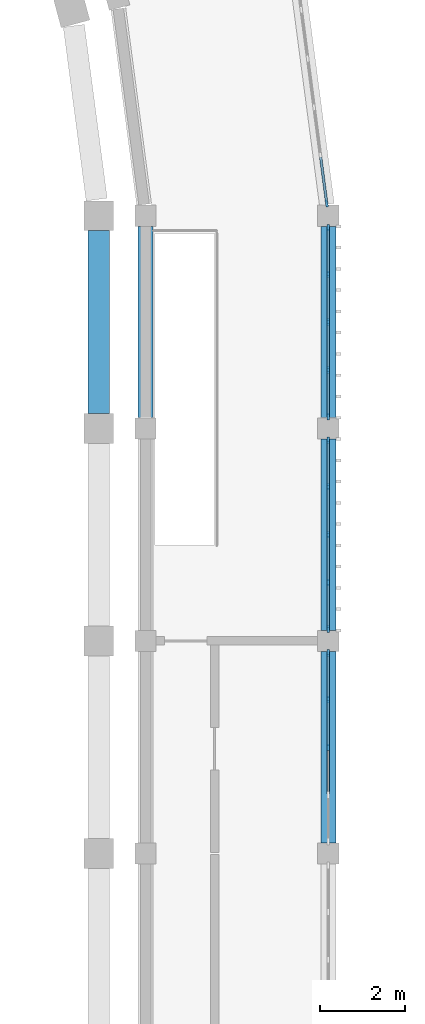
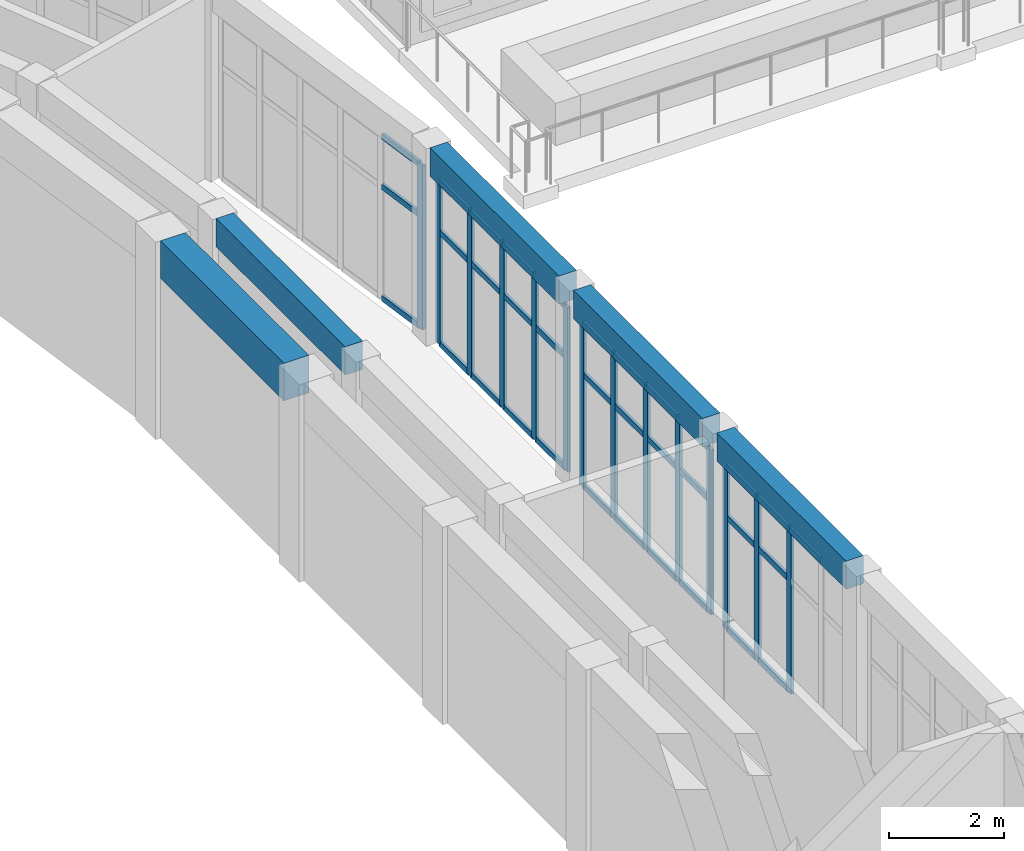
# One storey, part 13 of 99: 48 members, 5 beams, 4 elements without a shape of their own.
"""IFC4 building model written with IfcOpenShell, lengths in metres."""

from ifc_helpers import new_model, si_unit, direction, frame, origin, origin_2d, place, context, subcontext, project, spatial, rectangle, extrude, material, layer, layer_set, material_profile, profile_set, type_object, element, aggregate, save


model = new_model("IFC4")

# Units and contexts
model_context = context("Model", 3, precision=1e-05, world=origin(), true_north=direction((0.0, 1.0)))
body_context = subcontext(model_context, "Body", "Model", "MODEL_VIEW")
ifc_project = project(units=[si_unit("LENGTHUNIT", "METRE"), si_unit("AREAUNIT", "SQUARE_METRE"), si_unit("VOLUMEUNIT", "CUBIC_METRE"), si_unit("PLANEANGLEUNIT", "RADIAN"), si_unit("MASSUNIT", "GRAM", prefix="KILO")], contexts=[model_context])

# Site, building, storey
site_placement = place(None, origin())
site = spatial("IfcSite", under=ifc_project, at=site_placement, CompositionType="ELEMENT")
building_placement = place(site_placement, origin())
building = spatial("IfcBuilding", under=site, at=building_placement, Name="Wasatch Bagh Community Centre", CompositionType="ELEMENT")
storey_placement = place(building_placement, frame((0.0, 0.0, 4.199951171875)))
storey = spatial("IfcBuildingStorey", under=building, at=storey_placement, Name="L01", CompositionType="ELEMENT", Elevation=4.199951171875)

# Curtain wall, member
ifc_material_1 = material(Name="Aluminium curtain wall frame with low-iron insulated glass", Category="aluminium")
ifc_layer_1 = layer(ifc_material_1, 0.14990234375)
ifc_layer_set_1 = layer_set([ifc_layer_1], Name="Aluminium curtain wall frame with low-iron insulated glass")
curtain_wall_type_1 = type_object("IfcCurtainWallType", Name="Drum curtain wall DR-CW2", PredefinedType="NOTDEFINED", material=ifc_layer_set_1)
curtain_wall_1_placement = place(storey_placement, origin())
curtain_wall_1 = element("IfcCurtainWall", 1, at=curtain_wall_1_placement, inside=storey, type_object=curtain_wall_type_1, Name="Curtain wall DR-CW2 19", PredefinedType="NOTDEFINED")
ifc_material_2 = material(Name="Aluminium curtain wall frame", Category="aluminium")
ifc_material_profile_1 = material_profile(ifc_material_2, rectangle(XDim=0.06005859375, YDim=0.159912109375, at=origin_2d()), Name="Drum mullion DR-CW2")
ifc_profile_set_1 = profile_set([ifc_material_profile_1], Name="Aluminium curtain wall frame")
member_type_1 = type_object("IfcMemberType", Name="Drum mullion DR-CW2", PredefinedType="MULLION", material=ifc_profile_set_1)
member_1_placement = place(storey_placement, frame((60.11181640625, 65.2900390625, 0.0), z_axis=(0.0, 0.0, 1.0), x_axis=(-0.991444861378, -0.130526192185, 0.0)))
member_1 = element("IfcMember", 2, at=member_1_placement, type_object=member_type_1, Name="DR-CW2 mullion 1", PredefinedType="MULLION", context=body_context, shape_type="SweptSolid", body=[
    extrude(rectangle(XDim=0.06005859375, YDim=0.159912109375, at=origin_2d()), origin(), (0.0, 0.0, 1.0), 3.5),
])

# Curtain wall, members
ifc_layer_2 = layer(ifc_material_1, 0.14990234375)
ifc_layer_set_2 = layer_set([ifc_layer_2], Name="Aluminium curtain wall frame with low-iron insulated glass")
curtain_wall_type_2 = type_object("IfcCurtainWallType", Name="Drum curtain wall DR-CW4", PredefinedType="NOTDEFINED", material=ifc_layer_set_2)
curtain_wall_2_placement = place(storey_placement, origin())
curtain_wall_2 = element("IfcCurtainWall", 3, at=curtain_wall_2_placement, inside=storey, type_object=curtain_wall_type_2, Name="Curtain wall DR-CW4 16", PredefinedType="NOTDEFINED")
ifc_material_profile_2 = material_profile(ifc_material_2, rectangle(XDim=0.06005859375, YDim=0.159912109375, at=origin_2d()), Name="Drum mullion DR-CW4")
ifc_profile_set_2 = profile_set([ifc_material_profile_2], Name="Aluminium curtain wall frame")
member_type_2 = type_object("IfcMemberType", Name="Drum mullion DR-CW4", PredefinedType="MULLION", material=ifc_profile_set_2)
member_2_placement = place(storey_placement, frame((60.14990234375, 52.5, 0.0), z_axis=(0.0, 0.0, 1.0), x_axis=(-1.0, 0.0, 0.0)))
member_2 = element("IfcMember", 4, at=member_2_placement, type_object=member_type_2, Name="DR-CW4 mullion 3", PredefinedType="MULLION", context=body_context, shape_type="SweptSolid", body=[
    extrude(rectangle(XDim=0.06005859375, YDim=0.159912109375, at=origin_2d()), origin(), (0.0, 0.0, 1.0), 3.5),
])
member_3_placement = place(storey_placement, frame((60.14990234375, 53.624755859375, 0.0), z_axis=(0.0, 0.0, 1.0), x_axis=(-1.0, 0.0, 0.0)))
member_3 = element("IfcMember", 5, at=member_3_placement, type_object=member_type_2, Name="DR-CW4 mullion 4", PredefinedType="MULLION", context=body_context, shape_type="SweptSolid", body=[
    extrude(rectangle(XDim=0.06005859375, YDim=0.159912109375, at=origin_2d()), origin(), (0.0, 0.0, 1.0), 3.5),
])
member_4_placement = place(storey_placement, frame((60.14990234375, 54.719482421875, 0.0), z_axis=(0.0, 0.0, 1.0), x_axis=(-1.0, 0.0, 0.0)))
member_4 = element("IfcMember", 6, at=member_4_placement, type_object=member_type_2, Name="DR-CW4 mullion 5", PredefinedType="MULLION", context=body_context, shape_type="SweptSolid", body=[
    extrude(rectangle(XDim=0.06005859375, YDim=0.159912109375, at=origin_2d()), origin(), (0.0, 0.0, 1.0), 3.5),
])

curtain_wall_3_placement = place(storey_placement, origin())
curtain_wall_3 = element("IfcCurtainWall", 7, at=curtain_wall_3_placement, inside=storey, type_object=curtain_wall_type_2, Name="Curtain wall DR-CW4 17", PredefinedType="NOTDEFINED")
member_5_placement = place(storey_placement, frame((60.14990234375, 55.280517578125, 0.0), z_axis=(0.0, 0.0, 1.0), x_axis=(-1.0, 0.0, 0.0)))
member_5 = element("IfcMember", 8, at=member_5_placement, type_object=member_type_2, Name="DR-CW4 mullion 1", PredefinedType="MULLION", context=body_context, shape_type="SweptSolid", body=[
    extrude(rectangle(XDim=0.06005859375, YDim=0.159912109375, at=origin_2d()), origin(), (0.0, 0.0, 1.0), 3.5),
])
member_6_placement = place(storey_placement, frame((60.14990234375, 56.375244140625, 0.0), z_axis=(0.0, 0.0, 1.0), x_axis=(-1.0, 0.0, 0.0)))
member_6 = element("IfcMember", 9, at=member_6_placement, type_object=member_type_2, Name="DR-CW4 mullion 2", PredefinedType="MULLION", context=body_context, shape_type="SweptSolid", body=[
    extrude(rectangle(XDim=0.06005859375, YDim=0.159912109375, at=origin_2d()), origin(), (0.0, 0.0, 1.0), 3.5),
])
member_7_placement = place(storey_placement, frame((60.14990234375, 57.5, 0.0), z_axis=(0.0, 0.0, 1.0), x_axis=(-1.0, 0.0, 0.0)))
member_7 = element("IfcMember", 10, at=member_7_placement, type_object=member_type_2, Name="DR-CW4 mullion 3", PredefinedType="MULLION", context=body_context, shape_type="SweptSolid", body=[
    extrude(rectangle(XDim=0.06005859375, YDim=0.159912109375, at=origin_2d()), origin(), (0.0, 0.0, 1.0), 3.5),
])
member_8_placement = place(storey_placement, frame((60.14990234375, 58.624755859375, 0.0), z_axis=(0.0, 0.0, 1.0), x_axis=(-1.0, 0.0, 0.0)))
member_8 = element("IfcMember", 11, at=member_8_placement, type_object=member_type_2, Name="DR-CW4 mullion 4", PredefinedType="MULLION", context=body_context, shape_type="SweptSolid", body=[
    extrude(rectangle(XDim=0.06005859375, YDim=0.159912109375, at=origin_2d()), origin(), (0.0, 0.0, 1.0), 3.5),
])
member_9_placement = place(storey_placement, frame((60.14990234375, 59.719482421875, 0.0), z_axis=(0.0, 0.0, 1.0), x_axis=(-1.0, 0.0, 0.0)))
member_9 = element("IfcMember", 12, at=member_9_placement, type_object=member_type_2, Name="DR-CW4 mullion 5", PredefinedType="MULLION", context=body_context, shape_type="SweptSolid", body=[
    extrude(rectangle(XDim=0.06005859375, YDim=0.159912109375, at=origin_2d()), origin(), (0.0, 0.0, 1.0), 3.5),
])

curtain_wall_4_placement = place(storey_placement, origin())
curtain_wall_4 = element("IfcCurtainWall", 13, at=curtain_wall_4_placement, inside=storey, type_object=curtain_wall_type_2, Name="Curtain wall DR-CW4 18", PredefinedType="NOTDEFINED")
member_10_placement = place(storey_placement, frame((60.14990234375, 60.280517578125, 0.0), z_axis=(0.0, 0.0, 1.0), x_axis=(-1.0, 0.0, 0.0)))
member_10 = element("IfcMember", 14, at=member_10_placement, type_object=member_type_2, Name="DR-CW4 mullion 1", PredefinedType="MULLION", context=body_context, shape_type="SweptSolid", body=[
    extrude(rectangle(XDim=0.06005859375, YDim=0.159912109375, at=origin_2d()), origin(), (0.0, 0.0, 1.0), 3.5),
])
member_11_placement = place(storey_placement, frame((60.14990234375, 61.375244140625, 0.0), z_axis=(0.0, 0.0, 1.0), x_axis=(-1.0, 0.0, 0.0)))
member_11 = element("IfcMember", 15, at=member_11_placement, type_object=member_type_2, Name="DR-CW4 mullion 2", PredefinedType="MULLION", context=body_context, shape_type="SweptSolid", body=[
    extrude(rectangle(XDim=0.06005859375, YDim=0.159912109375, at=origin_2d()), origin(), (0.0, 0.0, 1.0), 3.5),
])
member_12_placement = place(storey_placement, frame((60.14990234375, 62.5, 0.0), z_axis=(0.0, 0.0, 1.0), x_axis=(-1.0, 0.0, 0.0)))
member_12 = element("IfcMember", 16, at=member_12_placement, type_object=member_type_2, Name="DR-CW4 mullion 3", PredefinedType="MULLION", context=body_context, shape_type="SweptSolid", body=[
    extrude(rectangle(XDim=0.06005859375, YDim=0.159912109375, at=origin_2d()), origin(), (0.0, 0.0, 1.0), 3.5),
])
member_13_placement = place(storey_placement, frame((60.14990234375, 63.624755859375, 0.0), z_axis=(0.0, 0.0, 1.0), x_axis=(-1.0, 0.0, 0.0)))
member_13 = element("IfcMember", 17, at=member_13_placement, type_object=member_type_2, Name="DR-CW4 mullion 4", PredefinedType="MULLION", context=body_context, shape_type="SweptSolid", body=[
    extrude(rectangle(XDim=0.06005859375, YDim=0.159912109375, at=origin_2d()), origin(), (0.0, 0.0, 1.0), 3.5),
])
member_14_placement = place(storey_placement, frame((60.14990234375, 64.719482421875, 0.0), z_axis=(0.0, 0.0, 1.0), x_axis=(-1.0, 0.0, 0.0)))
member_14 = element("IfcMember", 18, at=member_14_placement, type_object=member_type_2, Name="DR-CW4 mullion 5", PredefinedType="MULLION", context=body_context, shape_type="SweptSolid", body=[
    extrude(rectangle(XDim=0.06005859375, YDim=0.159912109375, at=origin_2d()), origin(), (0.0, 0.0, 1.0), 3.5),
])

# Beams
ifc_material_3 = material(Name="Concrete C35", Category="concrete")
ifc_material_profile_3 = material_profile(ifc_material_3, rectangle(XDim=0.35009765625, YDim=0.60009765625, at=origin_2d()), Name="RC 350x600")
ifc_profile_set_3 = profile_set([ifc_material_profile_3], Name="Concrete C35")
beam_type_1 = type_object("IfcBeamType", Name="Drum ring beam RC 350x600", PredefinedType="BEAM", material=ifc_profile_set_3)
for number, where, z_axis, x_axis, name in (
    (19, (55.85009765625, 60.25048828125, 3.900146484375), (0.0, 1.0, 0.0), (-1.0, 0.0, 0.0), "Ring beam 8.4 DI-E6-DI-E7"),
    (20, (60.14990234375, 50.25048828125, 3.900146484375), (0.0, 1.0, 0.0), (-1.0, 0.0, 0.0), "Ring beam 8.4 DO-E4-DO-E5"),
    (21, (60.14990234375, 55.25048828125, 3.900146484375), (0.0, 1.0, 0.0), (-1.0, 0.0, 0.0), "Ring beam 8.4 DO-E5-DO-E6"),
    (22, (60.14990234375, 60.25048828125, 3.900146484375), (0.0, 1.0, 0.0), (-1.0, 0.0, 0.0), "Ring beam 8.4 DO-E6-DO-E7"),
):
    element("IfcBeam", number, at=place(storey_placement, frame(where, z_axis=z_axis, x_axis=x_axis)), inside=storey, type_object=beam_type_1, Name=name, PredefinedType="BEAM", context=body_context, shape_type="SweptSolid", body=[
        extrude(rectangle(XDim=0.35009765625, YDim=0.60009765625, at=origin_2d()), origin(), (0.0, 0.0, 1.0), 4.4990234375),
    ])

# Member
ifc_material_profile_4 = material_profile(ifc_material_2, rectangle(XDim=0.06005859375, YDim=0.1201171875, at=origin_2d()), Name="Drum transom DR-CW2")
ifc_profile_set_4 = profile_set([ifc_material_profile_4], Name="Aluminium curtain wall frame")
member_type_3 = type_object("IfcMemberType", Name="Drum transom DR-CW2", PredefinedType="USERDEFINED", material=ifc_profile_set_4)
member_15_placement = place(storey_placement, frame((60.10791015625, 65.31982421875, 0.030029296875), z_axis=(-0.130573025845, 0.991438694485, 0.0), x_axis=(-0.991438694485, -0.130573025845, 0.0)))
member_15 = element("IfcMember", 23, at=member_15_placement, type_object=member_type_3, Name="DR-CW2 transom 1.1", ObjectType="TRANSOM", PredefinedType="USERDEFINED", context=body_context, shape_type="SweptSolid", body=[
    extrude(rectangle(XDim=0.06005859375, YDim=0.1201171875, at=origin_2d()), origin(), (0.0, 0.0, 1.0), 1.065673828125),
])

member_16_placement = place(storey_placement, frame((60.10791015625, 65.31982421875, 2.400146484375), z_axis=(-0.130573025845, 0.991438694485, 0.0), x_axis=(-0.991438694485, -0.130573025845, 0.0)))
member_16 = element("IfcMember", 24, at=member_16_placement, type_object=member_type_3, Name="DR-CW2 transom 1.2", ObjectType="TRANSOM", PredefinedType="USERDEFINED", context=body_context, shape_type="SweptSolid", body=[
    extrude(rectangle(XDim=0.06005859375, YDim=0.1201171875, at=origin_2d()), origin(), (0.0, 0.0, 1.0), 1.065673828125),
])

member_17_placement = place(storey_placement, frame((60.10791015625, 65.31982421875, 3.469970703125), z_axis=(-0.130573025845, 0.991438694485, 0.0), x_axis=(-0.991438694485, -0.130573025845, 0.0)))
member_17 = element("IfcMember", 25, at=member_17_placement, type_object=member_type_3, Name="DR-CW2 transom 1.3", ObjectType="TRANSOM", PredefinedType="USERDEFINED", context=body_context, shape_type="SweptSolid", body=[
    extrude(rectangle(XDim=0.06005859375, YDim=0.1201171875, at=origin_2d()), origin(), (0.0, 0.0, 1.0), 1.065673828125),
])

aggregate(curtain_wall_1, [member_1, member_15, member_16, member_17])

ifc_material_profile_5 = material_profile(ifc_material_2, rectangle(XDim=0.06005859375, YDim=0.1201171875, at=origin_2d()), Name="Drum transom DR-CW4")
ifc_profile_set_5 = profile_set([ifc_material_profile_5], Name="Aluminium curtain wall frame")
member_type_4 = type_object("IfcMemberType", Name="Drum transom DR-CW4", PredefinedType="USERDEFINED", material=ifc_profile_set_5)
member_18_placement = place(storey_placement, frame((60.14990234375, 51.4052734375, 3.469970703125), z_axis=(0.0, 1.0, 0.0), x_axis=(-1.0, 0.0, 0.0)))
member_18 = element("IfcMember", 26, at=member_18_placement, type_object=member_type_4, Name="DR-CW4 transom 2.3", ObjectType="TRANSOM", PredefinedType="USERDEFINED", context=body_context, shape_type="SweptSolid", body=[
    extrude(rectangle(XDim=0.06005859375, YDim=0.1201171875, at=origin_2d()), origin(), (0.0, 0.0, 1.0), 1.064697265625),
])

member_19_placement = place(storey_placement, frame((60.14990234375, 52.530029296875, 0.030029296875), z_axis=(0.0, 1.0, 0.0), x_axis=(-1.0, 0.0, 0.0)))
member_19 = element("IfcMember", 27, at=member_19_placement, type_object=member_type_4, Name="DR-CW4 transom 3.1", ObjectType="TRANSOM", PredefinedType="USERDEFINED", context=body_context, shape_type="SweptSolid", body=[
    extrude(rectangle(XDim=0.06005859375, YDim=0.1201171875, at=origin_2d()), origin(), (0.0, 0.0, 1.0), 1.064697265625),
])

member_20_placement = place(storey_placement, frame((60.14990234375, 52.530029296875, 2.400146484375), z_axis=(0.0, 1.0, 0.0), x_axis=(-1.0, 0.0, 0.0)))
member_20 = element("IfcMember", 28, at=member_20_placement, type_object=member_type_4, Name="DR-CW4 transom 3.2", ObjectType="TRANSOM", PredefinedType="USERDEFINED", context=body_context, shape_type="SweptSolid", body=[
    extrude(rectangle(XDim=0.06005859375, YDim=0.1201171875, at=origin_2d()), origin(), (0.0, 0.0, 1.0), 1.064697265625),
])

member_21_placement = place(storey_placement, frame((60.14990234375, 52.530029296875, 3.469970703125), z_axis=(0.0, 1.0, 0.0), x_axis=(-1.0, 0.0, 0.0)))
member_21 = element("IfcMember", 29, at=member_21_placement, type_object=member_type_4, Name="DR-CW4 transom 3.3", ObjectType="TRANSOM", PredefinedType="USERDEFINED", context=body_context, shape_type="SweptSolid", body=[
    extrude(rectangle(XDim=0.06005859375, YDim=0.1201171875, at=origin_2d()), origin(), (0.0, 0.0, 1.0), 1.064697265625),
])

member_22_placement = place(storey_placement, frame((60.14990234375, 53.65478515625, 0.030029296875), z_axis=(0.0, 1.0, 0.0), x_axis=(-1.0, 0.0, 0.0)))
member_22 = element("IfcMember", 30, at=member_22_placement, type_object=member_type_4, Name="DR-CW4 transom 4.1", ObjectType="TRANSOM", PredefinedType="USERDEFINED", context=body_context, shape_type="SweptSolid", body=[
    extrude(rectangle(XDim=0.06005859375, YDim=0.1201171875, at=origin_2d()), origin(), (0.0, 0.0, 1.0), 1.03466796875),
])

member_23_placement = place(storey_placement, frame((60.14990234375, 53.65478515625, 2.400146484375), z_axis=(0.0, 1.0, 0.0), x_axis=(-1.0, 0.0, 0.0)))
member_23 = element("IfcMember", 31, at=member_23_placement, type_object=member_type_4, Name="DR-CW4 transom 4.2", ObjectType="TRANSOM", PredefinedType="USERDEFINED", context=body_context, shape_type="SweptSolid", body=[
    extrude(rectangle(XDim=0.06005859375, YDim=0.1201171875, at=origin_2d()), origin(), (0.0, 0.0, 1.0), 1.03466796875),
])

member_24_placement = place(storey_placement, frame((60.14990234375, 53.65478515625, 3.469970703125), z_axis=(0.0, 1.0, 0.0), x_axis=(-1.0, 0.0, 0.0)))
member_24 = element("IfcMember", 32, at=member_24_placement, type_object=member_type_4, Name="DR-CW4 transom 4.3", ObjectType="TRANSOM", PredefinedType="USERDEFINED", context=body_context, shape_type="SweptSolid", body=[
    extrude(rectangle(XDim=0.06005859375, YDim=0.1201171875, at=origin_2d()), origin(), (0.0, 0.0, 1.0), 1.03466796875),
])

aggregate(curtain_wall_2, [member_2, member_3, member_4, member_18, member_19, member_20, member_21, member_22, member_23, member_24])

member_25_placement = place(storey_placement, frame((60.14990234375, 55.310546875, 0.030029296875), z_axis=(0.0, 1.0, 0.0), x_axis=(-1.0, 0.0, 0.0)))
member_25 = element("IfcMember", 33, at=member_25_placement, type_object=member_type_4, Name="DR-CW4 transom 1.1", ObjectType="TRANSOM", PredefinedType="USERDEFINED", context=body_context, shape_type="SweptSolid", body=[
    extrude(rectangle(XDim=0.06005859375, YDim=0.1201171875, at=origin_2d()), origin(), (0.0, 0.0, 1.0), 1.03466796875),
])

member_26_placement = place(storey_placement, frame((60.14990234375, 55.310546875, 2.400146484375), z_axis=(0.0, 1.0, 0.0), x_axis=(-1.0, 0.0, 0.0)))
member_26 = element("IfcMember", 34, at=member_26_placement, type_object=member_type_4, Name="DR-CW4 transom 1.2", ObjectType="TRANSOM", PredefinedType="USERDEFINED", context=body_context, shape_type="SweptSolid", body=[
    extrude(rectangle(XDim=0.06005859375, YDim=0.1201171875, at=origin_2d()), origin(), (0.0, 0.0, 1.0), 1.03466796875),
])

member_27_placement = place(storey_placement, frame((60.14990234375, 55.310546875, 3.469970703125), z_axis=(0.0, 1.0, 0.0), x_axis=(-1.0, 0.0, 0.0)))
member_27 = element("IfcMember", 35, at=member_27_placement, type_object=member_type_4, Name="DR-CW4 transom 1.3", ObjectType="TRANSOM", PredefinedType="USERDEFINED", context=body_context, shape_type="SweptSolid", body=[
    extrude(rectangle(XDim=0.06005859375, YDim=0.1201171875, at=origin_2d()), origin(), (0.0, 0.0, 1.0), 1.03466796875),
])

member_28_placement = place(storey_placement, frame((60.14990234375, 56.4052734375, 0.030029296875), z_axis=(0.0, 1.0, 0.0), x_axis=(-1.0, 0.0, 0.0)))
member_28 = element("IfcMember", 36, at=member_28_placement, type_object=member_type_4, Name="DR-CW4 transom 2.1", ObjectType="TRANSOM", PredefinedType="USERDEFINED", context=body_context, shape_type="SweptSolid", body=[
    extrude(rectangle(XDim=0.06005859375, YDim=0.1201171875, at=origin_2d()), origin(), (0.0, 0.0, 1.0), 1.064697265625),
])

member_29_placement = place(storey_placement, frame((60.14990234375, 56.4052734375, 2.400146484375), z_axis=(0.0, 1.0, 0.0), x_axis=(-1.0, 0.0, 0.0)))
member_29 = element("IfcMember", 37, at=member_29_placement, type_object=member_type_4, Name="DR-CW4 transom 2.2", ObjectType="TRANSOM", PredefinedType="USERDEFINED", context=body_context, shape_type="SweptSolid", body=[
    extrude(rectangle(XDim=0.06005859375, YDim=0.1201171875, at=origin_2d()), origin(), (0.0, 0.0, 1.0), 1.064697265625),
])

member_30_placement = place(storey_placement, frame((60.14990234375, 56.4052734375, 3.469970703125), z_axis=(0.0, 1.0, 0.0), x_axis=(-1.0, 0.0, 0.0)))
member_30 = element("IfcMember", 38, at=member_30_placement, type_object=member_type_4, Name="DR-CW4 transom 2.3", ObjectType="TRANSOM", PredefinedType="USERDEFINED", context=body_context, shape_type="SweptSolid", body=[
    extrude(rectangle(XDim=0.06005859375, YDim=0.1201171875, at=origin_2d()), origin(), (0.0, 0.0, 1.0), 1.064697265625),
])

member_31_placement = place(storey_placement, frame((60.14990234375, 57.530029296875, 0.030029296875), z_axis=(0.0, 1.0, 0.0), x_axis=(-1.0, 0.0, 0.0)))
member_31 = element("IfcMember", 39, at=member_31_placement, type_object=member_type_4, Name="DR-CW4 transom 3.1", ObjectType="TRANSOM", PredefinedType="USERDEFINED", context=body_context, shape_type="SweptSolid", body=[
    extrude(rectangle(XDim=0.06005859375, YDim=0.1201171875, at=origin_2d()), origin(), (0.0, 0.0, 1.0), 1.064697265625),
])

member_32_placement = place(storey_placement, frame((60.14990234375, 57.530029296875, 2.400146484375), z_axis=(0.0, 1.0, 0.0), x_axis=(-1.0, 0.0, 0.0)))
member_32 = element("IfcMember", 40, at=member_32_placement, type_object=member_type_4, Name="DR-CW4 transom 3.2", ObjectType="TRANSOM", PredefinedType="USERDEFINED", context=body_context, shape_type="SweptSolid", body=[
    extrude(rectangle(XDim=0.06005859375, YDim=0.1201171875, at=origin_2d()), origin(), (0.0, 0.0, 1.0), 1.064697265625),
])

member_33_placement = place(storey_placement, frame((60.14990234375, 57.530029296875, 3.469970703125), z_axis=(0.0, 1.0, 0.0), x_axis=(-1.0, 0.0, 0.0)))
member_33 = element("IfcMember", 41, at=member_33_placement, type_object=member_type_4, Name="DR-CW4 transom 3.3", ObjectType="TRANSOM", PredefinedType="USERDEFINED", context=body_context, shape_type="SweptSolid", body=[
    extrude(rectangle(XDim=0.06005859375, YDim=0.1201171875, at=origin_2d()), origin(), (0.0, 0.0, 1.0), 1.064697265625),
])

member_34_placement = place(storey_placement, frame((60.14990234375, 58.65478515625, 0.030029296875), z_axis=(0.0, 1.0, 0.0), x_axis=(-1.0, 0.0, 0.0)))
member_34 = element("IfcMember", 42, at=member_34_placement, type_object=member_type_4, Name="DR-CW4 transom 4.1", ObjectType="TRANSOM", PredefinedType="USERDEFINED", context=body_context, shape_type="SweptSolid", body=[
    extrude(rectangle(XDim=0.06005859375, YDim=0.1201171875, at=origin_2d()), origin(), (0.0, 0.0, 1.0), 1.03466796875),
])

member_35_placement = place(storey_placement, frame((60.14990234375, 58.65478515625, 2.400146484375), z_axis=(0.0, 1.0, 0.0), x_axis=(-1.0, 0.0, 0.0)))
member_35 = element("IfcMember", 43, at=member_35_placement, type_object=member_type_4, Name="DR-CW4 transom 4.2", ObjectType="TRANSOM", PredefinedType="USERDEFINED", context=body_context, shape_type="SweptSolid", body=[
    extrude(rectangle(XDim=0.06005859375, YDim=0.1201171875, at=origin_2d()), origin(), (0.0, 0.0, 1.0), 1.03466796875),
])

member_36_placement = place(storey_placement, frame((60.14990234375, 58.65478515625, 3.469970703125), z_axis=(0.0, 1.0, 0.0), x_axis=(-1.0, 0.0, 0.0)))
member_36 = element("IfcMember", 44, at=member_36_placement, type_object=member_type_4, Name="DR-CW4 transom 4.3", ObjectType="TRANSOM", PredefinedType="USERDEFINED", context=body_context, shape_type="SweptSolid", body=[
    extrude(rectangle(XDim=0.06005859375, YDim=0.1201171875, at=origin_2d()), origin(), (0.0, 0.0, 1.0), 1.03466796875),
])

aggregate(curtain_wall_3, [member_5, member_6, member_7, member_8, member_9, member_25, member_26, member_27, member_28, member_29, member_30, member_31, member_32, member_33, member_34, member_35, member_36])

member_37_placement = place(storey_placement, frame((60.14990234375, 60.310546875, 0.030029296875), z_axis=(0.0, 1.0, 0.0), x_axis=(-1.0, 0.0, 0.0)))
member_37 = element("IfcMember", 45, at=member_37_placement, type_object=member_type_4, Name="DR-CW4 transom 1.1", ObjectType="TRANSOM", PredefinedType="USERDEFINED", context=body_context, shape_type="SweptSolid", body=[
    extrude(rectangle(XDim=0.06005859375, YDim=0.1201171875, at=origin_2d()), origin(), (0.0, 0.0, 1.0), 1.03466796875),
])

member_38_placement = place(storey_placement, frame((60.14990234375, 60.310546875, 2.400146484375), z_axis=(0.0, 1.0, 0.0), x_axis=(-1.0, 0.0, 0.0)))
member_38 = element("IfcMember", 46, at=member_38_placement, type_object=member_type_4, Name="DR-CW4 transom 1.2", ObjectType="TRANSOM", PredefinedType="USERDEFINED", context=body_context, shape_type="SweptSolid", body=[
    extrude(rectangle(XDim=0.06005859375, YDim=0.1201171875, at=origin_2d()), origin(), (0.0, 0.0, 1.0), 1.03466796875),
])

member_39_placement = place(storey_placement, frame((60.14990234375, 60.310546875, 3.469970703125), z_axis=(0.0, 1.0, 0.0), x_axis=(-1.0, 0.0, 0.0)))
member_39 = element("IfcMember", 47, at=member_39_placement, type_object=member_type_4, Name="DR-CW4 transom 1.3", ObjectType="TRANSOM", PredefinedType="USERDEFINED", context=body_context, shape_type="SweptSolid", body=[
    extrude(rectangle(XDim=0.06005859375, YDim=0.1201171875, at=origin_2d()), origin(), (0.0, 0.0, 1.0), 1.03466796875),
])

member_40_placement = place(storey_placement, frame((60.14990234375, 61.4052734375, 0.030029296875), z_axis=(0.0, 1.0, 0.0), x_axis=(-1.0, 0.0, 0.0)))
member_40 = element("IfcMember", 48, at=member_40_placement, type_object=member_type_4, Name="DR-CW4 transom 2.1", ObjectType="TRANSOM", PredefinedType="USERDEFINED", context=body_context, shape_type="SweptSolid", body=[
    extrude(rectangle(XDim=0.06005859375, YDim=0.1201171875, at=origin_2d()), origin(), (0.0, 0.0, 1.0), 1.064697265625),
])

member_41_placement = place(storey_placement, frame((60.14990234375, 61.4052734375, 2.400146484375), z_axis=(0.0, 1.0, 0.0), x_axis=(-1.0, 0.0, 0.0)))
member_41 = element("IfcMember", 49, at=member_41_placement, type_object=member_type_4, Name="DR-CW4 transom 2.2", ObjectType="TRANSOM", PredefinedType="USERDEFINED", context=body_context, shape_type="SweptSolid", body=[
    extrude(rectangle(XDim=0.06005859375, YDim=0.1201171875, at=origin_2d()), origin(), (0.0, 0.0, 1.0), 1.064697265625),
])

member_42_placement = place(storey_placement, frame((60.14990234375, 61.4052734375, 3.469970703125), z_axis=(0.0, 1.0, 0.0), x_axis=(-1.0, 0.0, 0.0)))
member_42 = element("IfcMember", 50, at=member_42_placement, type_object=member_type_4, Name="DR-CW4 transom 2.3", ObjectType="TRANSOM", PredefinedType="USERDEFINED", context=body_context, shape_type="SweptSolid", body=[
    extrude(rectangle(XDim=0.06005859375, YDim=0.1201171875, at=origin_2d()), origin(), (0.0, 0.0, 1.0), 1.064697265625),
])

member_43_placement = place(storey_placement, frame((60.14990234375, 62.530029296875, 0.030029296875), z_axis=(0.0, 1.0, 0.0), x_axis=(-1.0, 0.0, 0.0)))
member_43 = element("IfcMember", 51, at=member_43_placement, type_object=member_type_4, Name="DR-CW4 transom 3.1", ObjectType="TRANSOM", PredefinedType="USERDEFINED", context=body_context, shape_type="SweptSolid", body=[
    extrude(rectangle(XDim=0.06005859375, YDim=0.1201171875, at=origin_2d()), origin(), (0.0, 0.0, 1.0), 1.064697265625),
])

member_44_placement = place(storey_placement, frame((60.14990234375, 62.530029296875, 2.400146484375), z_axis=(0.0, 1.0, 0.0), x_axis=(-1.0, 0.0, 0.0)))
member_44 = element("IfcMember", 52, at=member_44_placement, type_object=member_type_4, Name="DR-CW4 transom 3.2", ObjectType="TRANSOM", PredefinedType="USERDEFINED", context=body_context, shape_type="SweptSolid", body=[
    extrude(rectangle(XDim=0.06005859375, YDim=0.1201171875, at=origin_2d()), origin(), (0.0, 0.0, 1.0), 1.064697265625),
])

member_45_placement = place(storey_placement, frame((60.14990234375, 62.530029296875, 3.469970703125), z_axis=(0.0, 1.0, 0.0), x_axis=(-1.0, 0.0, 0.0)))
member_45 = element("IfcMember", 53, at=member_45_placement, type_object=member_type_4, Name="DR-CW4 transom 3.3", ObjectType="TRANSOM", PredefinedType="USERDEFINED", context=body_context, shape_type="SweptSolid", body=[
    extrude(rectangle(XDim=0.06005859375, YDim=0.1201171875, at=origin_2d()), origin(), (0.0, 0.0, 1.0), 1.064697265625),
])

member_46_placement = place(storey_placement, frame((60.14990234375, 63.65478515625, 0.030029296875), z_axis=(0.0, 1.0, 0.0), x_axis=(-1.0, 0.0, 0.0)))
member_46 = element("IfcMember", 54, at=member_46_placement, type_object=member_type_4, Name="DR-CW4 transom 4.1", ObjectType="TRANSOM", PredefinedType="USERDEFINED", context=body_context, shape_type="SweptSolid", body=[
    extrude(rectangle(XDim=0.06005859375, YDim=0.1201171875, at=origin_2d()), origin(), (0.0, 0.0, 1.0), 1.03466796875),
])

member_47_placement = place(storey_placement, frame((60.14990234375, 63.65478515625, 2.400146484375), z_axis=(0.0, 1.0, 0.0), x_axis=(-1.0, 0.0, 0.0)))
member_47 = element("IfcMember", 55, at=member_47_placement, type_object=member_type_4, Name="DR-CW4 transom 4.2", ObjectType="TRANSOM", PredefinedType="USERDEFINED", context=body_context, shape_type="SweptSolid", body=[
    extrude(rectangle(XDim=0.06005859375, YDim=0.1201171875, at=origin_2d()), origin(), (0.0, 0.0, 1.0), 1.03466796875),
])

member_48_placement = place(storey_placement, frame((60.14990234375, 63.65478515625, 3.469970703125), z_axis=(0.0, 1.0, 0.0), x_axis=(-1.0, 0.0, 0.0)))
member_48 = element("IfcMember", 56, at=member_48_placement, type_object=member_type_4, Name="DR-CW4 transom 4.3", ObjectType="TRANSOM", PredefinedType="USERDEFINED", context=body_context, shape_type="SweptSolid", body=[
    extrude(rectangle(XDim=0.06005859375, YDim=0.1201171875, at=origin_2d()), origin(), (0.0, 0.0, 1.0), 1.03466796875),
])

aggregate(curtain_wall_4, [member_10, member_11, member_12, member_13, member_14, member_37, member_38, member_39, member_40, member_41, member_42, member_43, member_44, member_45, member_46, member_47, member_48])

# Beam
ifc_material_profile_6 = material_profile(ifc_material_3, rectangle(XDim=0.5, YDim=0.800048828125, at=origin_2d()), Name="RC 500x800")
ifc_profile_set_6 = profile_set([ifc_material_profile_6], Name="Concrete C35")
beam_type_2 = type_object("IfcBeamType", Name="MH ring beam RC 500x800", PredefinedType="BEAM", material=ifc_profile_set_6)
beam_placement = place(storey_placement, frame((54.75, 60.3505859375, 3.800048828125), z_axis=(0.0, 1.0, 0.0), x_axis=(-1.0, 0.0, 0.0)))
element("IfcBeam", 57, at=beam_placement, inside=storey, type_object=beam_type_2, Name="Ring beam 8.4 E6-E7", PredefinedType="BEAM", context=body_context, shape_type="SweptSolid", body=[
    extrude(rectangle(XDim=0.5, YDim=0.800048828125, at=origin_2d()), origin(), (0.0, 0.0, 1.0), 4.298828125),
])

save(model, "model.ifc")
